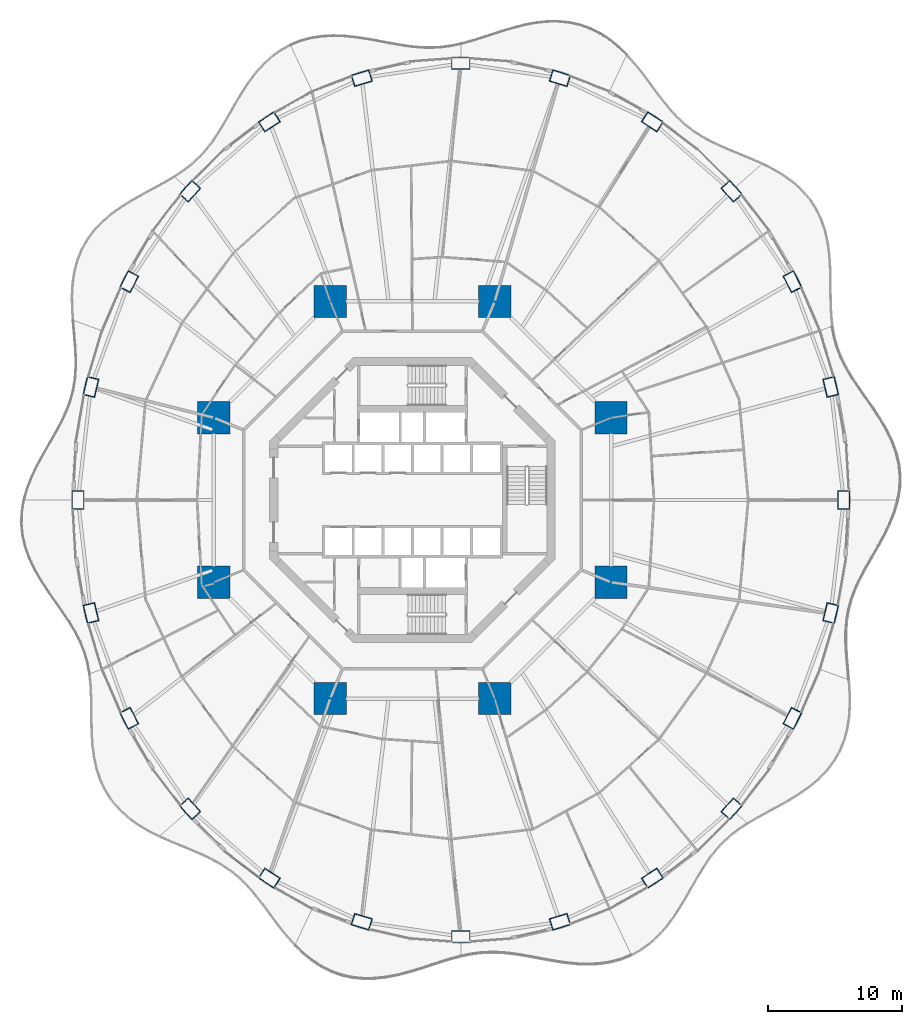
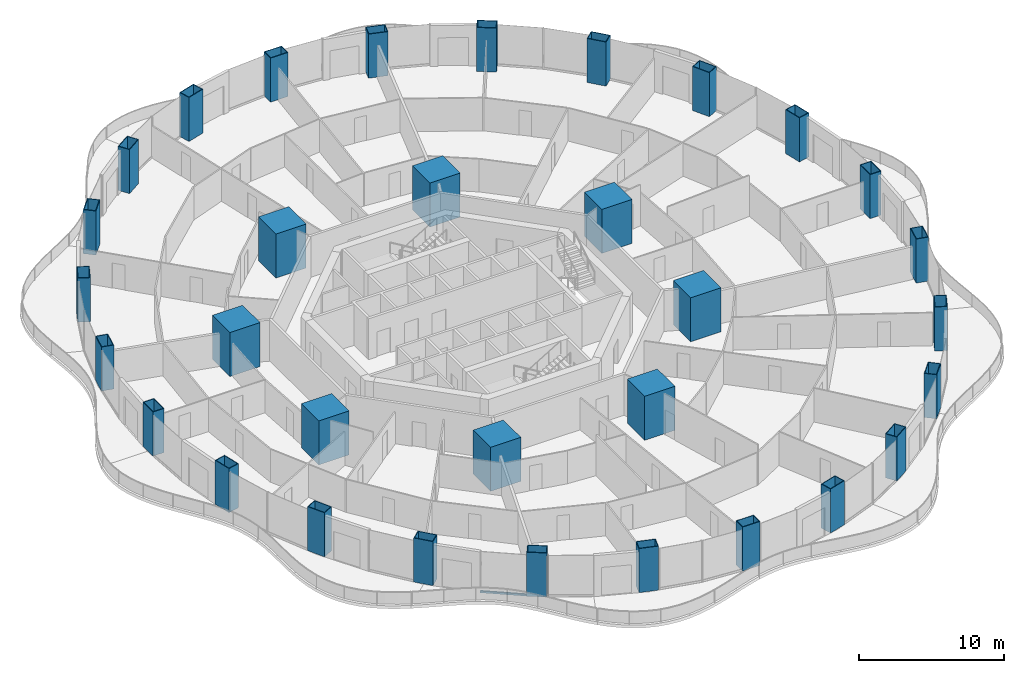
# One storey, part 1 of 22: 32 columns, 1 member, 1 element without a shape of its own.
"""IFC4 building model written with IfcOpenShell, lengths in metres."""

from ifc_helpers import new_model, si_unit, direction, frame, origin, origin_2d, place, context, subcontext, project, spatial, rectangle, hollow_rectangle, extrude, material, layer, layer_set, material_profile, profile_set, type_object, element, aggregate, save


model = new_model("IFC4")

# Units and contexts
model_context = context("Model", 3, precision=1e-05, world=origin(), true_north=direction((0.0, 1.0)))
body_context = subcontext(model_context, "Body", "Model", "MODEL_VIEW")
ifc_project = project(units=[si_unit("LENGTHUNIT", "METRE"), si_unit("AREAUNIT", "SQUARE_METRE"), si_unit("VOLUMEUNIT", "CUBIC_METRE"), si_unit("PLANEANGLEUNIT", "RADIAN"), si_unit("MASSUNIT", "GRAM", prefix="KILO")], contexts=[model_context])

# Site, building, storey
site_placement = place(None, origin())
site = spatial("IfcSite", under=ifc_project, at=site_placement, CompositionType="ELEMENT")
building_placement = place(site_placement, origin())
building = spatial("IfcBuilding", under=site, at=building_placement, Name="Nagisa Residences", CompositionType="ELEMENT")
storey_placement = place(building_placement, frame((0.0, 0.0, 30.699951171875)))
storey = spatial("IfcBuildingStorey", under=building, at=storey_placement, Name="L06", CompositionType="ELEMENT", Elevation=30.699951171875)

# Columns
ifc_material_1 = material(Name="Concrete C80", Category="concrete")
ifc_material_profile_1 = material_profile(ifc_material_1, rectangle(XDim=2.39990234375, YDim=2.39990234375, at=origin_2d()), Name="C80 2400x2400")
ifc_profile_set_1 = profile_set([ifc_material_profile_1], Name="Concrete C80")
column_type_1 = type_object("IfcColumnType", Name="Inner megacolumn C80 2400x2400", PredefinedType="COLUMN", material=ifc_profile_set_1)
for number, where, z_axis, x_axis, name in (
    (1, (14.781982421875, 6.123046875, 0.0), (0.0, 0.0, 1.0), (1.0, 0.0, 0.0), "col:L06:i1"),
    (2, (6.123046875, 14.781982421875, 0.0), (0.0, 0.0, 1.0), (1.0, 0.0, 0.0), "col:L06:i2"),
    (3, (-6.123046875, 14.781982421875, 0.0), (0.0, 0.0, 1.0), (1.0, 0.0, 0.0), "col:L06:i3"),
    (4, (-14.781982421875, 6.123046875, 0.0), (0.0, 0.0, 1.0), (1.0, 0.0, 0.0), "col:L06:i4"),
    (5, (-14.781982421875, -6.123046875, 0.0), (0.0, 0.0, 1.0), (1.0, 0.0, 0.0), "col:L06:i5"),
    (6, (-6.123046875, -14.781982421875, 0.0), (0.0, 0.0, 1.0), (1.0, 0.0, 0.0), "col:L06:i6"),
    (7, (6.123046875, -14.781982421875, 0.0), (0.0, 0.0, 1.0), (1.0, 0.0, 0.0), "col:L06:i7"),
    (8, (14.781982421875, -6.123046875, 0.0), (0.0, 0.0, 1.0), (1.0, 0.0, 0.0), "col:L06:i8"),
):
    element("IfcColumn", number, at=place(storey_placement, frame(where, z_axis=z_axis, x_axis=x_axis)), inside=storey, type_object=column_type_1, Name=name, PredefinedType="COLUMN", context=body_context, shape_type="SweptSolid", body=[
        extrude(rectangle(XDim=2.39990234375, YDim=2.39990234375, at=origin_2d()), origin(), (0.0, 0.0, 1.0), 3.699951171875),
    ])
ifc_material_2 = material(Name="Steel ASTM A572 Gr 50", Category="steel")
ifc_material_profile_2 = material_profile(ifc_material_2, hollow_rectangle(XDim=1.39990234375, YDim=0.89990234375, WallThickness=0.050048828125, at=origin_2d()), Name="BX 1400x900x50")
ifc_profile_set_2 = profile_set([ifc_material_profile_2], Name="Steel ASTM A572 Gr 50")
column_type_2 = type_object("IfcColumnType", Name="Perimeter column BX 1400x900x50", PredefinedType="COLUMN", material=ifc_profile_set_2)
for number, where, z_axis, x_axis, name in (
    (9, (32.10009765625, 0.0, 0.0), (0.0, 0.0, 1.0), (0.0, 1.0, 0.0), "col:L06:p00"),
    (10, (31.12890625, 8.41162109375, 0.0), (0.0, 0.0, 1.0), (-0.229202013103, 0.973378876486, 0.0), "col:L06:p01"),
    (11, (28.28173828125, 16.25, 0.0), (0.0, 0.0, 1.0), (-0.452462697578, 0.891783329795, 0.0), "col:L06:p02"),
    (12, (23.75244140625, 22.98095703125, 0.0), (0.0, 0.0, 1.0), (-0.660114607735, 0.751164898445, 0.0), "col:L06:p03"),
    (13, (17.85009765625, 28.145751953125, 0.0), (0.0, 0.0, 1.0), (-0.835766105673, 0.54908561865, 0.0), "col:L06:p04"),
    (14, (10.976318359375, 31.392578125, 0.0), (0.0, 0.0, 1.0), (-0.956524583408, 0.291651712384, 0.0), "col:L06:p05"),
    (15, (3.60009765625, 32.5, 0.0), (0.0, 0.0, 1.0), (-1.0, 0.0, 0.0), "col:L06:p06"),
    (16, (-3.7763671875, 31.392578125, 0.0), (0.0, 0.0, 1.0), (-0.956524583408, -0.291651712384, 0.0), "col:L06:p07"),
    (17, (-10.64990234375, 28.145751953125, 0.0), (0.0, 0.0, 1.0), (-0.835766105673, -0.54908561865, 0.0), "col:L06:p08"),
    (18, (-16.552490234375, 22.98095703125, 0.0), (0.0, 0.0, 1.0), (-0.660114607735, -0.751164898445, 0.0), "col:L06:p09"),
    (19, (-21.081787109375, 16.25, 0.0), (0.0, 0.0, 1.0), (-0.452462697578, -0.891783329795, 0.0), "col:L06:p10"),
    (20, (-23.928955078125, 8.41162109375, 0.0), (0.0, 0.0, 1.0), (-0.229202013103, -0.973378876486, 0.0), "col:L06:p11"),
    (21, (-24.89990234375, 0.0, 0.0), (0.0, 0.0, 1.0), (0.0, -1.0, 0.0), "col:L06:p12"),
    (22, (-23.928955078125, -8.41162109375, 0.0), (0.0, 0.0, 1.0), (0.229202013103, -0.973378876486, 0.0), "col:L06:p13"),
    (23, (-21.081787109375, -16.25, 0.0), (0.0, 0.0, 1.0), (0.452462697578, -0.891783329795, 0.0), "col:L06:p14"),
    (24, (-16.552490234375, -22.98095703125, 0.0), (0.0, 0.0, 1.0), (0.660114607735, -0.751164898445, 0.0), "col:L06:p15"),
    (25, (-10.64990234375, -28.145751953125, 0.0), (0.0, 0.0, 1.0), (0.835766105673, -0.54908561865, 0.0), "col:L06:p16"),
    (26, (-3.7763671875, -31.392578125, 0.0), (0.0, 0.0, 1.0), (0.956524583408, -0.291651712384, 0.0), "col:L06:p17"),
    (27, (3.60009765625, -32.5, 0.0), (0.0, 0.0, 1.0), (1.0, 0.0, 0.0), "col:L06:p18"),
    (28, (10.976318359375, -31.392578125, 0.0), (0.0, 0.0, 1.0), (0.956524583408, 0.291651712384, 0.0), "col:L06:p19"),
    (29, (17.85009765625, -28.145751953125, 0.0), (0.0, 0.0, 1.0), (0.835766105673, 0.54908561865, 0.0), "col:L06:p20"),
    (30, (23.75244140625, -22.98095703125, 0.0), (0.0, 0.0, 1.0), (0.660114607735, 0.751164898445, 0.0), "col:L06:p21"),
    (31, (28.28173828125, -16.25, 0.0), (0.0, 0.0, 1.0), (0.452462697578, 0.891783329795, 0.0), "col:L06:p22"),
    (32, (31.12890625, -8.41162109375, 0.0), (0.0, 0.0, 1.0), (0.229202013103, 0.973378876486, 0.0), "col:L06:p23"),
):
    element("IfcColumn", number, at=place(storey_placement, frame(where, z_axis=z_axis, x_axis=x_axis)), inside=storey, type_object=column_type_2, Name=name, PredefinedType="COLUMN", context=body_context, shape_type="SweptSolid", body=[
        extrude(hollow_rectangle(XDim=1.39990234375, YDim=0.89990234375, WallThickness=0.050048828125, at=origin_2d()), origin(), (0.0, 0.0, 1.0), 3.699951171875),
    ])

# Curtain wall, member
ifc_material_3 = material(Name="Concrete-coloured aluminium curtain wall system", Category="concrete")
ifc_layer = layer(ifc_material_3, 0.159912109375)
ifc_layer_set = layer_set([ifc_layer], Name="CW1 CURTAIN WALL")
curtain_wall_type = type_object("IfcCurtainWallType", Name="CW1 CURTAIN WALL", PredefinedType="NOTDEFINED", material=ifc_layer_set)
curtain_wall_placement = place(storey_placement, origin())
curtain_wall = element("IfcCurtainWall", 33, at=curtain_wall_placement, inside=storey, type_object=curtain_wall_type, Name="cw:CW1:L06:31", PredefinedType="NOTDEFINED")
ifc_material_4 = material(Name="Concrete-coloured aluminium", Category="concrete")
ifc_material_profile_3 = material_profile(ifc_material_4, rectangle(XDim=0.1201171875, YDim=0.14990234375, at=origin_2d()), Name="CW1 TRANSOM 120x150")
ifc_profile_set_3 = profile_set([ifc_material_profile_3], Name="Concrete-coloured aluminium")
member_type = type_object("IfcMemberType", Name="CW1 TRANSOM 120x150", PredefinedType="USERDEFINED", material=ifc_profile_set_3)
member_placement = place(storey_placement, frame((-14.005615234375, -26.116943359375, 0.074951171875), z_axis=(0.796022293214, -0.605267303517, 0.0), x_axis=(0.605267303517, 0.796022293214, 0.0)))
member = element("IfcMember", 34, at=member_placement, type_object=member_type, Name="CW1 transom", ObjectType="TRANSOM", PredefinedType="USERDEFINED", context=body_context, shape_type="SweptSolid", body=[
    extrude(rectangle(XDim=0.1201171875, YDim=0.14990234375, at=origin_2d()), origin(), (0.0, 0.0, 1.0), 3.262451171875),
])
aggregate(curtain_wall, [member])

save(model, "model.ifc")
